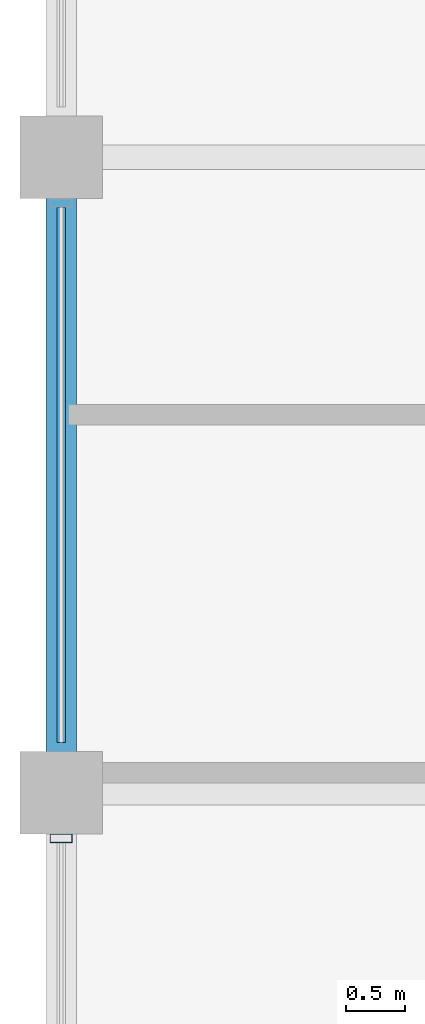
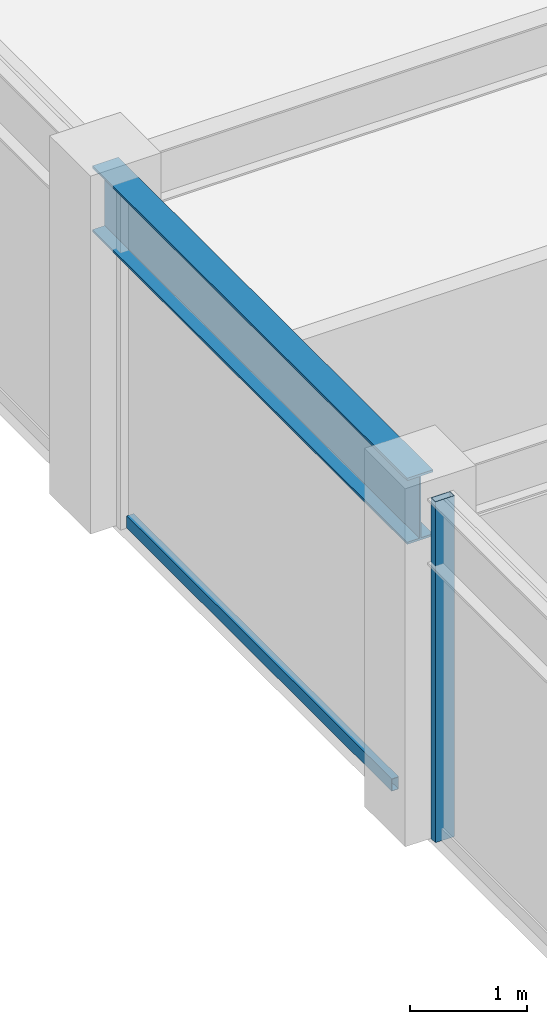
# One storey, part 10 of 30: 2 members, 1 beam, 1 element without a shape of its own.
"""IFC4 building model written with IfcOpenShell, lengths in metres."""

from ifc_helpers import new_model, si_unit, direction, frame, origin, origin_2d, place, context, subcontext, project, spatial, hollow_rectangle, i_section, extrude, material, layer, layer_set, material_profile, profile_set, type_object, element, aggregate, save


model = new_model("IFC4")

# Units and contexts
model_context = context("Model", 3, precision=1e-05, world=origin(), true_north=direction((0.0, 1.0)))
body_context = subcontext(model_context, "Body", "Model", "MODEL_VIEW")
ifc_project = project(units=[si_unit("LENGTHUNIT", "METRE"), si_unit("AREAUNIT", "SQUARE_METRE"), si_unit("VOLUMEUNIT", "CUBIC_METRE"), si_unit("PLANEANGLEUNIT", "RADIAN"), si_unit("MASSUNIT", "GRAM", prefix="KILO")], contexts=[model_context])

# Site, building, storey
site_placement = place(None, origin())
site = spatial("IfcSite", under=ifc_project, at=site_placement, CompositionType="ELEMENT")
building_placement = place(site_placement, origin())
building = spatial("IfcBuilding", under=site, at=building_placement, Name="Surkhivell Harbour Commons", CompositionType="ELEMENT")
storey_placement = place(building_placement, frame((0.0, 0.0, 296.25)))
storey = spatial("IfcBuildingStorey", under=building, at=storey_placement, Name="L77", CompositionType="ELEMENT", Elevation=296.25)

# Beam
ifc_material_1 = material(Name="Steel S355", Category="steel")
ifc_material_profile_1 = material_profile(ifc_material_1, i_section(OverallWidth=0.256103515625, OverallDepth=0.693115234375, WebThickness=0.014404296875, FlangeThickness=0.023681640625, at=origin_2d()), Name="UB686x254x170")
ifc_profile_set_1 = profile_set([ifc_material_profile_1], Name="Steel S355")
beam_type = type_object("IfcBeamType", Name="BM-SPN-686", PredefinedType="SPANDREL", material=ifc_profile_set_1)
beam_placement = place(storey_placement, frame((-27.0, 5.39990234375, 3.223388671875), z_axis=(0.0, 1.0, 0.0), x_axis=(-1.0, 0.0, 0.0)))
element("IfcBeam", 1, at=beam_placement, inside=storey, type_object=beam_type, Name="L77 Tube Spandrel (-27.0,5.4)", PredefinedType="SPANDREL", context=body_context, shape_type="SweptSolid", body=[
    extrude(i_section(OverallWidth=0.256103515625, OverallDepth=0.693115234375, WebThickness=0.014404296875, FlangeThickness=0.023681640625, at=origin_2d()), origin(), (0.0, 0.0, 1.0), 5.400146484375),
])

# Curtain wall, members
ifc_material_2 = material(Name="Anodised pale-metal aluminium and insulated glazing", Category="aluminium")
ifc_layer = layer(ifc_material_2, 0.175048828125)
ifc_layer_set = layer_set([ifc_layer], Name="Anodised pale-metal aluminium and insulated glazing")
curtain_wall_type = type_object("IfcCurtainWallType", Name="CW-SYS-Z4", PredefinedType="NOTDEFINED", material=ifc_layer_set)
curtain_wall_placement = place(storey_placement, origin())
curtain_wall = element("IfcCurtainWall", 2, at=curtain_wall_placement, inside=storey, type_object=curtain_wall_type, Name="L77 Curtain Wall CW-L77-E12S1", PredefinedType="NOTDEFINED")
ifc_material_3 = material(Name="Anodised pale-metal aluminium alloy 6063-T6", Category="aluminium")
ifc_material_profile_2 = material_profile(ifc_material_3, hollow_rectangle(XDim=0.074951171875, YDim=0.18994140625, WallThickness=0.00390625, at=origin_2d()), Name="ALU-MULL-75x190")
ifc_profile_set_2 = profile_set([ifc_material_profile_2], Name="Anodised pale-metal aluminium alloy 6063-T6")
member_type_1 = type_object("IfcMemberType", Name="CWM-190", PredefinedType="MULLION", material=ifc_profile_set_2)
member_1_placement = place(storey_placement, frame((-27.0, 5.010498046875, 0.0), z_axis=(0.0, 0.0, 1.0), x_axis=(0.0, -1.0, 0.0)))
member_1 = element("IfcMember", 3, at=member_1_placement, type_object=member_type_1, Name="CW-Z4 mullion 4", PredefinedType="MULLION", context=body_context, shape_type="SweptSolid", body=[
    extrude(hollow_rectangle(XDim=0.074951171875, YDim=0.18994140625, WallThickness=0.00390625, at=origin_2d()), origin(), (0.0, 0.0, 1.0), 3.570068359375),
])
ifc_material_4 = material(Name="Champagne anodised aluminium alloy 6063-T6", Category="aluminium")
ifc_material_profile_3 = material_profile(ifc_material_4, hollow_rectangle(XDim=0.070068359375, YDim=0.1298828125, WallThickness=0.00341796875, at=origin_2d()), Name="ALU-TRAN-70x130")
ifc_profile_set_3 = profile_set([ifc_material_profile_3], Name="Champagne anodised aluminium alloy 6063-T6")
member_type_2 = type_object("IfcMemberType", Name="CWT-130", PredefinedType="USERDEFINED", material=ifc_profile_set_3)
member_2_placement = place(storey_placement, frame((-27.0, 10.373046875, 0.06494140625), z_axis=(0.0, -1.0, 0.0), x_axis=(1.0, 0.0, 0.0)))
member_2 = element("IfcMember", 4, at=member_2_placement, type_object=member_type_2, Name="CW-Z4 transom 3.1", ObjectType="TRANSOM", PredefinedType="USERDEFINED", context=body_context, shape_type="SweptSolid", body=[
    extrude(hollow_rectangle(XDim=0.070068359375, YDim=0.1298828125, WallThickness=0.00341796875, at=origin_2d()), origin(), (0.0, 0.0, 1.0), 4.546142578125),
])
aggregate(curtain_wall, [member_2, member_1])

save(model, "model.ifc")
